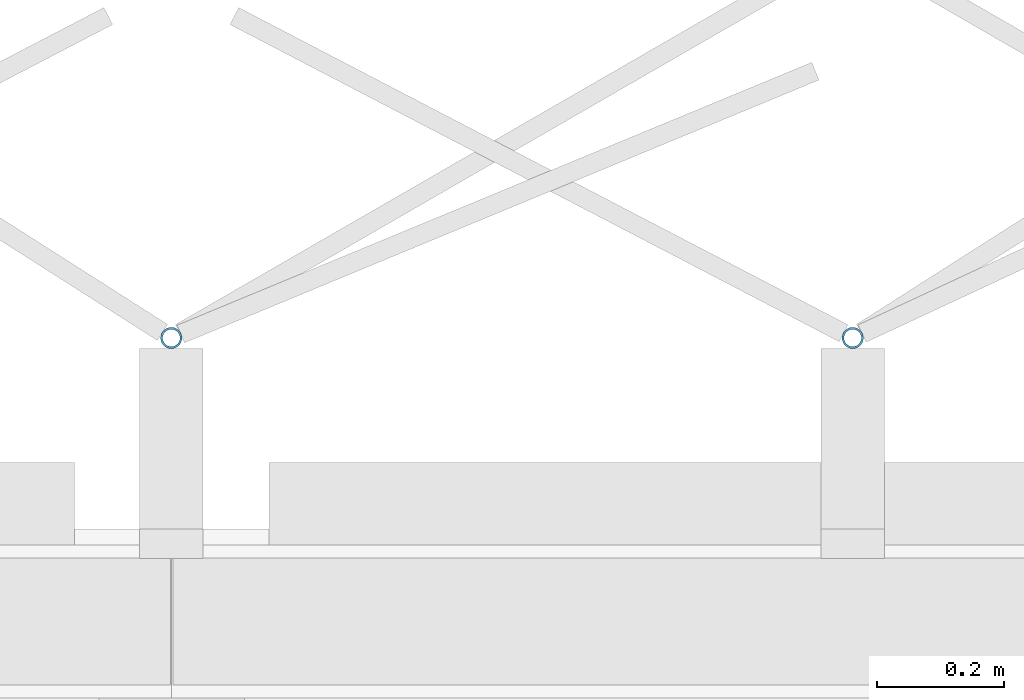
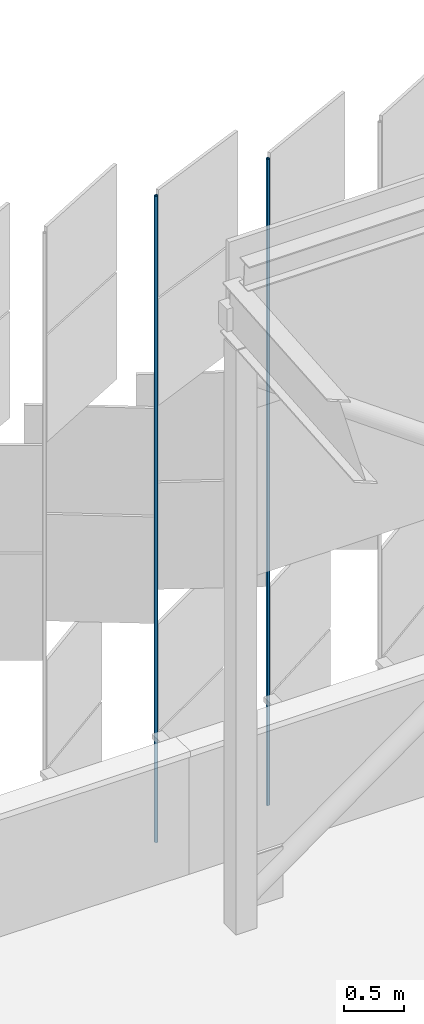
# One storey, part 369 of 483: 2 discrete accessories.
"""IFC4 building model written with IfcOpenShell, lengths in metres."""

from ifc_helpers import new_model, si_unit, direction, frame, origin, origin_2d, place, context, subcontext, project, spatial, hollow_circle, extrude, material, material_profile, profile_set, type_object, element, save


model = new_model("IFC4")

# Units and contexts
model_context = context("Model", 3, precision=1e-05, world=origin(), true_north=direction((0.0, 1.0)))
body_context = subcontext(model_context, "Body", "Model", "MODEL_VIEW")
ifc_project = project(units=[si_unit("LENGTHUNIT", "METRE"), si_unit("AREAUNIT", "SQUARE_METRE"), si_unit("VOLUMEUNIT", "CUBIC_METRE"), si_unit("PLANEANGLEUNIT", "RADIAN"), si_unit("MASSUNIT", "GRAM", prefix="KILO")], contexts=[model_context])

# Site, building, storey
site_placement = place(None, origin())
site = spatial("IfcSite", under=ifc_project, at=site_placement, CompositionType="ELEMENT")
building_placement = place(site_placement, origin())
building = spatial("IfcBuilding", under=site, at=building_placement, Name="Parallax Yard Mobility Hub", CompositionType="ELEMENT")
storey_placement = place(building_placement, frame((0.0, 0.0, 13.199951171875)))
storey = spatial("IfcBuildingStorey", under=building, at=storey_placement, Name="L04", CompositionType="ELEMENT", Elevation=13.199951171875)

# Discrete accessories
ifc_material = material(Name="Steel ASTM A500 Gr C, hot-dip galvanised", Category="steel")
ifc_material_profile = material_profile(ifc_material, hollow_circle(Radius=0.016845703125, WallThickness=0.003173828125, at=origin_2d()), Name="CHS 33.7x3.2")
ifc_profile_set = profile_set([ifc_material_profile], Name="Steel ASTM A500 Gr C, hot-dip galvanised")
discrete_accessory_type = type_object("IfcDiscreteAccessoryType", Name="Hinge post CHS 33.7x3.2", PredefinedType="BRACKET", material=ifc_profile_set)
for number, where, z_axis, x_axis, name in (
    (1, (151.07080078125, 142.800048828125, 0.0), (0.0, 0.0, 1.0), (1.0, 0.0, 0.0), "Hinge post bay 53.7 level L04"),
    (2, (149.999267578125, 142.800048828125, 0.0), (0.0, 0.0, 1.0), (1.0, 0.0, 0.0), "Hinge post bay 54.1 level L04"),
):
    element("IfcDiscreteAccessory", number, at=place(storey_placement, frame(where, z_axis=z_axis, x_axis=x_axis)), inside=storey, type_object=discrete_accessory_type, Name=name, PredefinedType="BRACKET", context=body_context, shape_type="SweptSolid", body=[
        extrude(hollow_circle(Radius=0.016845703125, WallThickness=0.003173828125, at=origin_2d()), origin(), (0.0, 0.0, 1.0), 6.550048828125),
    ])

save(model, "model.ifc")
